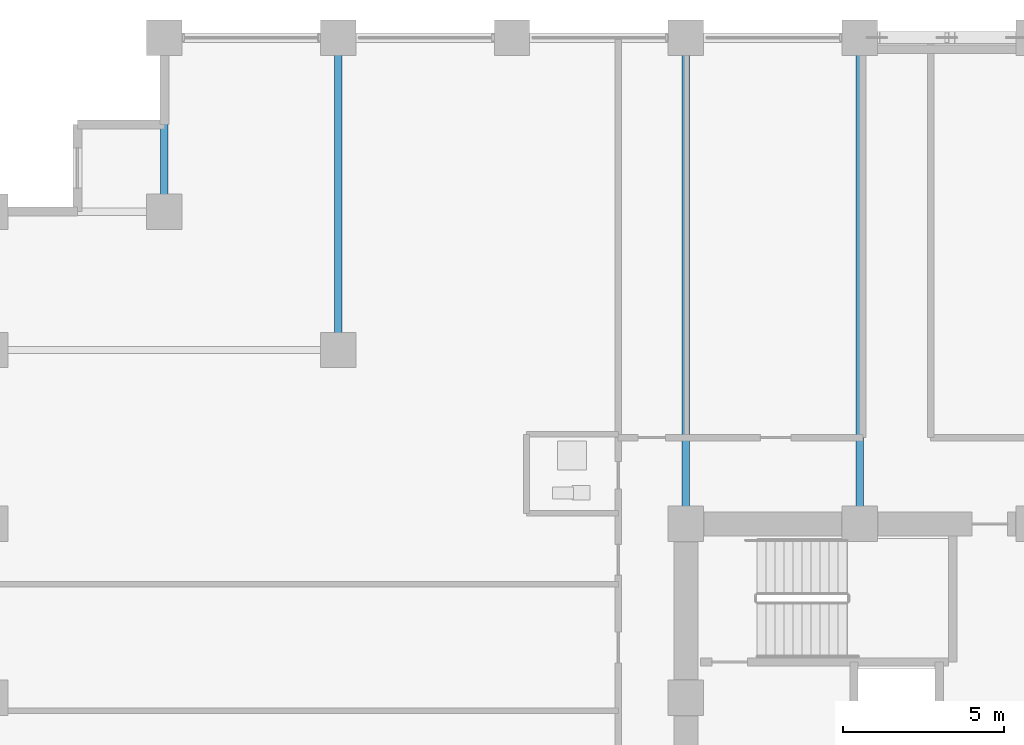
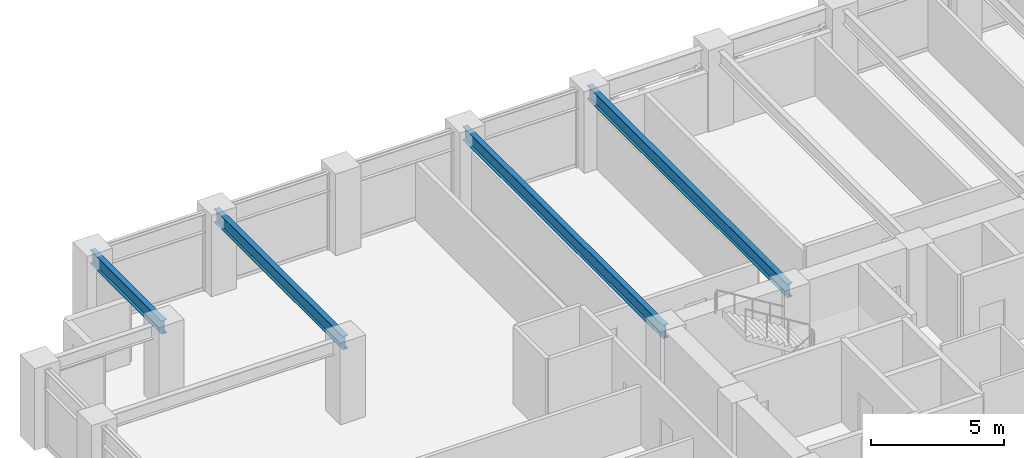
# One storey, part 11 of 25: 4 beams.
"""IFC4 building model written with IfcOpenShell, lengths in metres."""

from ifc_helpers import new_model, si_unit, direction, frame, origin, origin_2d, place, context, subcontext, project, spatial, i_section, extrude, material, material_profile, profile_set, type_object, element, save


model = new_model("IFC4")

# Units and contexts
model_context = context("Model", 3, precision=1e-05, world=origin(), true_north=direction((0.0, 1.0)))
body_context = subcontext(model_context, "Body", "Model", "MODEL_VIEW")
ifc_project = project(units=[si_unit("LENGTHUNIT", "METRE"), si_unit("AREAUNIT", "SQUARE_METRE"), si_unit("VOLUMEUNIT", "CUBIC_METRE"), si_unit("PLANEANGLEUNIT", "RADIAN"), si_unit("MASSUNIT", "GRAM", prefix="KILO")], contexts=[model_context])

# Site, building, storey
site_placement = place(None, origin())
site = spatial("IfcSite", under=ifc_project, at=site_placement, CompositionType="ELEMENT")
building_placement = place(site_placement, origin())
building = spatial("IfcBuilding", under=site, at=building_placement, Name="Surkhivell Harbour Commons", CompositionType="ELEMENT")
storey_placement = place(building_placement, frame((0.0, 0.0, 109.5)))
storey = spatial("IfcBuildingStorey", under=building, at=storey_placement, Name="L28", CompositionType="ELEMENT", Elevation=109.5)

# Beams
ifc_material = material(Name="Steel S355", Category="steel")
ifc_material_profile = material_profile(ifc_material, i_section(OverallWidth=0.22998046875, OverallDepth=0.616943359375, WebThickness=0.01318359375, FlangeThickness=0.022216796875, at=origin_2d()), Name="UB610x229x140")
ifc_profile_set = profile_set([ifc_material_profile], Name="Steel S355")
beam_type = type_object("IfcBeamType", Name="BM-GRD-610B", PredefinedType="BEAM", material=ifc_profile_set)
beam_1_placement = place(storey_placement, frame((-27.0, 20.5, 3.261474609375), z_axis=(0.0, 1.0, 0.0), x_axis=(-1.0, 0.0, 0.0)))
element("IfcBeam", 1, at=beam_1_placement, inside=storey, type_object=beam_type, Name="L28 Floor Girder (-27.0,20.5)", PredefinedType="BEAM", context=body_context, shape_type="SweptSolid", body=[
    extrude(i_section(OverallWidth=0.22998046875, OverallDepth=0.616943359375, WebThickness=0.01318359375, FlangeThickness=0.022216796875, at=origin_2d()), origin(), (0.0, 0.0, 1.0), 5.39990234375),
])
beam_2_placement = place(storey_placement, frame((-21.60009765625, 16.199951171875, 3.261474609375), z_axis=(0.0, 1.0, 0.0), x_axis=(-1.0, 0.0, 0.0)))
element("IfcBeam", 2, at=beam_2_placement, inside=storey, type_object=beam_type, Name="L28 Floor Girder (-21.6,16.2)", PredefinedType="BEAM", context=body_context, shape_type="SweptSolid", body=[
    extrude(i_section(OverallWidth=0.22998046875, OverallDepth=0.616943359375, WebThickness=0.01318359375, FlangeThickness=0.022216796875, at=origin_2d()), origin(), (0.0, 0.0, 1.0), 9.699951171875),
])
for number, where, z_axis, x_axis, name in (
    (3, (-10.800048828125, 10.800048828125, 3.261474609375), (0.0, 1.0, 0.0), (-1.0, 0.0, 0.0), "L28 Floor Girder (-10.8,10.8)"),
    (4, (-5.39990234375, 10.800048828125, 3.261474609375), (0.0, 1.0, 0.0), (-1.0, 0.0, 0.0), "L28 Floor Girder (-5.4,10.8)"),
):
    element("IfcBeam", number, at=place(storey_placement, frame(where, z_axis=z_axis, x_axis=x_axis)), inside=storey, type_object=beam_type, Name=name, PredefinedType="BEAM", context=body_context, shape_type="SweptSolid", body=[
        extrude(i_section(OverallWidth=0.22998046875, OverallDepth=0.616943359375, WebThickness=0.01318359375, FlangeThickness=0.022216796875, at=origin_2d()), origin(), (0.0, 0.0, 1.0), 15.099853515625),
    ])

save(model, "model.ifc")
